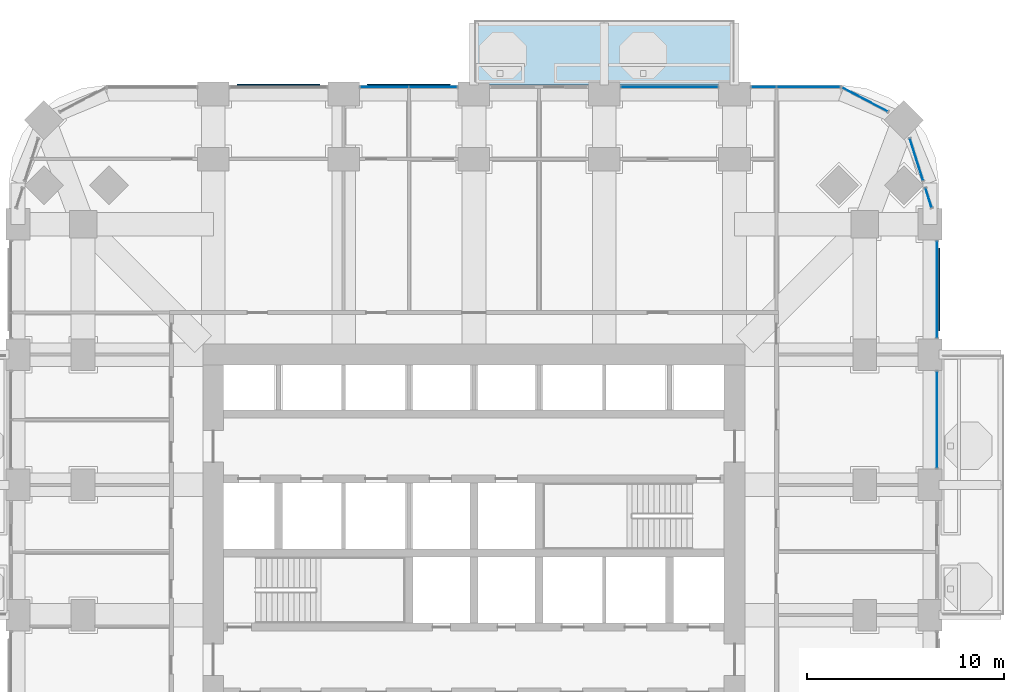
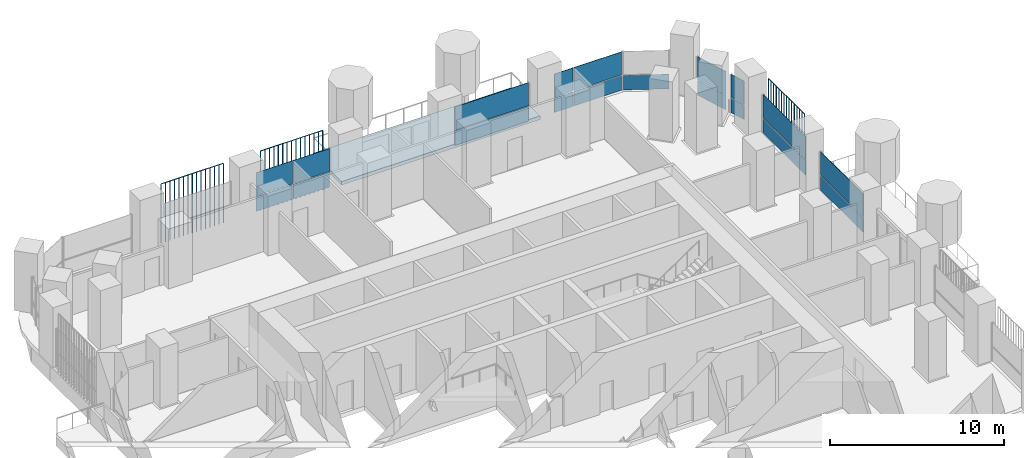
# One storey, part 12 of 21: 22 plates, 1 slab, 8 elements without a shape of their own.
"""IFC4 building model written with IfcOpenShell, lengths in metres."""

from ifc_helpers import new_model, si_unit, direction, frame, origin, origin_2d, place, context, subcontext, project, spatial, polyline, rectangle, outline, extrude, material, layer, layer_set, type_object, element, aggregate, save


model = new_model("IFC4")

# Units and contexts
model_context = context("Model", 3, precision=1e-05, world=origin(), true_north=direction((0.0, 1.0)))
body_context = subcontext(model_context, "Body", "Model", "MODEL_VIEW")
ifc_project = project(units=[si_unit("LENGTHUNIT", "METRE"), si_unit("AREAUNIT", "SQUARE_METRE"), si_unit("VOLUMEUNIT", "CUBIC_METRE"), si_unit("PLANEANGLEUNIT", "RADIAN"), si_unit("MASSUNIT", "GRAM", prefix="KILO")], contexts=[model_context])

# Site, building, storey
site_placement = place(None, origin())
site = spatial("IfcSite", under=ifc_project, at=site_placement, CompositionType="ELEMENT")
building_placement = place(site_placement, origin())
building = spatial("IfcBuilding", under=site, at=building_placement, Name="Cobogo Forest Laboratory Tower", CompositionType="ELEMENT")
storey_placement = place(building_placement, frame((0.0, 0.0, 86.39990234375)))
storey = spatial("IfcBuildingStorey", under=building, at=storey_placement, Name="L19", CompositionType="ELEMENT", Elevation=86.39990234375)

# Slab
ifc_material_1 = material(Name="Concrete HA-40 (C40/50)", Category="concrete")
ifc_layer_1 = layer(ifc_material_1, 0.25)
ifc_layer_set_1 = layer_set([ifc_layer_1], Name="Balcony slab 250")
slab_type = type_object("IfcSlabType", Name="Balcony slab 250", PredefinedType="FLOOR", material=ifc_layer_set_1)
slab_placement = place(storey_placement, frame((0.0, 0.0, -0.25)))
element("IfcSlab", 1, at=slab_placement, inside=storey, type_object=slab_type, Name="Balcony BAL-N1 L19", PredefinedType="FLOOR", context=body_context, shape_type="SweptSolid", body=[
    extrude(outline(polyline([(26.39990234375, 46.64990234375), (39.60009765625, 46.64990234375), (39.60009765625, 49.949951171875), (26.39990234375, 49.949951171875), (26.39990234375, 46.64990234375)])), origin(), (0.0, 0.0, 1.0), 0.25),
])

# Curtain wall, plates
ifc_material_2 = material(Name="Aluminium curtain wall", Category="aluminium")
curtain_wall_type = type_object("IfcCurtainWallType", Name="CW-1 unitised curtain wall, clear glazing, laboratory floors zones A and B", PredefinedType="USERDEFINED", material=ifc_material_2)
curtain_wall_1_placement = place(storey_placement, origin())
curtain_wall_1 = element("IfcCurtainWall", 2, at=curtain_wall_1_placement, inside=storey, type_object=curtain_wall_type, Name="Curtain wall 13 L19", ObjectType="UNITISED CURTAIN WALL", PredefinedType="USERDEFINED")
ifc_material_3 = material(Name="Clear insulated glass", Category="glass")
ifc_layer_2 = layer(ifc_material_3, 0.028076171875)
ifc_layer_set_2 = layer_set([ifc_layer_2], Name="GP-1 clear insulated glass unit 28")
plate_type_1 = type_object("IfcPlateType", Name="GP-1 clear insulated glass unit 28", PredefinedType="CURTAIN_PANEL", material=ifc_layer_set_2)
plate_1_placement = place(storey_placement, frame((49.85009765625, 29.699951171875, 0.0), z_axis=(0.0, 0.0, 1.0), x_axis=(0.0, 1.0, 0.0)))
plate_1 = element("IfcPlate", 3, at=plate_1_placement, type_object=plate_type_1, Name="CW-1 panel 1.1", PredefinedType="CURTAIN_PANEL", context=body_context, shape_type="SweptSolid", body=[
    extrude(rectangle(XDim=4.8798828125, YDim=0.028076171875, at=origin_2d()), origin(), (0.0, 0.0, 1.0), 1.02001953125),
])
plate_2_placement = place(storey_placement, frame((49.85009765625, 29.699951171875, 1.080078125), z_axis=(0.0, 0.0, 1.0), x_axis=(0.0, 1.0, 0.0)))
plate_2 = element("IfcPlate", 4, at=plate_2_placement, type_object=plate_type_1, Name="CW-1 panel 1.2", PredefinedType="CURTAIN_PANEL", context=body_context, shape_type="SweptSolid", body=[
    extrude(rectangle(XDim=4.8798828125, YDim=0.028076171875, at=origin_2d()), origin(), (0.0, 0.0, 1.0), 1.6201171875),
])
aggregate(curtain_wall_1, [plate_1, plate_2])

curtain_wall_2_placement = place(storey_placement, origin())
curtain_wall_2 = element("IfcCurtainWall", 5, at=curtain_wall_2_placement, inside=storey, type_object=curtain_wall_type, Name="Curtain wall 14 L19", ObjectType="UNITISED CURTAIN WALL", PredefinedType="USERDEFINED")
plate_3_placement = place(storey_placement, frame((49.85009765625, 36.300048828125, 0.0), z_axis=(0.0, 0.0, 1.0), x_axis=(0.0, 1.0, 0.0)))
plate_3 = element("IfcPlate", 6, at=plate_3_placement, type_object=plate_type_1, Name="CW-1 panel 1.1", PredefinedType="CURTAIN_PANEL", context=body_context, shape_type="SweptSolid", body=[
    extrude(rectangle(XDim=4.8798828125, YDim=0.028076171875, at=origin_2d()), origin(), (0.0, 0.0, 1.0), 1.02001953125),
])
plate_4_placement = place(storey_placement, frame((49.85009765625, 36.300048828125, 1.080078125), z_axis=(0.0, 0.0, 1.0), x_axis=(0.0, 1.0, 0.0)))
plate_4 = element("IfcPlate", 7, at=plate_4_placement, type_object=plate_type_1, Name="CW-1 panel 1.2", PredefinedType="CURTAIN_PANEL", context=body_context, shape_type="SweptSolid", body=[
    extrude(rectangle(XDim=4.8798828125, YDim=0.028076171875, at=origin_2d()), origin(), (0.0, 0.0, 1.0), 1.6201171875),
])
aggregate(curtain_wall_2, [plate_3, plate_4])

curtain_wall_3_placement = place(storey_placement, origin())
curtain_wall_3 = element("IfcCurtainWall", 8, at=curtain_wall_3_placement, inside=storey, type_object=curtain_wall_type, Name="Curtain wall 15 L19", ObjectType="UNITISED CURTAIN WALL", PredefinedType="USERDEFINED")
plate_5_placement = place(storey_placement, frame((49.426513671875, 40.94091796875, 0.0), z_axis=(0.0, 0.0, 1.0), x_axis=(-0.3011355018, 0.953581359694, 0.0)))
plate_5 = element("IfcPlate", 9, at=plate_5_placement, type_object=plate_type_1, Name="CW-1 panel 1.1", PredefinedType="CURTAIN_PANEL", context=body_context, shape_type="SweptSolid", body=[
    extrude(rectangle(XDim=1.0146484375, YDim=0.028076171875, at=origin_2d()), origin(), (0.0, 0.0, 1.0), 1.02001953125),
])
plate_6_placement = place(storey_placement, frame((49.426513671875, 40.94091796875, 1.080078125), z_axis=(0.0, 0.0, 1.0), x_axis=(-0.3011355018, 0.953581359694, 0.0)))
plate_6 = element("IfcPlate", 10, at=plate_6_placement, type_object=plate_type_1, Name="CW-1 panel 1.2", PredefinedType="CURTAIN_PANEL", context=body_context, shape_type="SweptSolid", body=[
    extrude(rectangle(XDim=1.0146484375, YDim=0.028076171875, at=origin_2d()), origin(), (0.0, 0.0, 1.0), 1.6201171875),
])
aggregate(curtain_wall_3, [plate_5, plate_6])

curtain_wall_4_placement = place(storey_placement, origin())
curtain_wall_4 = element("IfcCurtainWall", 11, at=curtain_wall_4_placement, inside=storey, type_object=curtain_wall_type, Name="Curtain wall 16 L19", ObjectType="UNITISED CURTAIN WALL", PredefinedType="USERDEFINED")
plate_7_placement = place(storey_placement, frame((48.8134765625, 42.882080078125, 0.0), z_axis=(0.0, 0.0, 1.0), x_axis=(-0.301135343623, 0.953581409645, 0.0)))
plate_7 = element("IfcPlate", 12, at=plate_7_placement, type_object=plate_type_1, Name="CW-1 panel 1.1", PredefinedType="CURTAIN_PANEL", context=body_context, shape_type="SweptSolid", body=[
    extrude(rectangle(XDim=2.203369140625, YDim=0.028076171875, at=origin_2d()), origin(), (0.0, 0.0, 1.0), 1.02001953125),
])
plate_8_placement = place(storey_placement, frame((48.8134765625, 42.882080078125, 1.080078125), z_axis=(0.0, 0.0, 1.0), x_axis=(-0.301135343623, 0.953581409645, 0.0)))
plate_8 = element("IfcPlate", 13, at=plate_8_placement, type_object=plate_type_1, Name="CW-1 panel 1.2", PredefinedType="CURTAIN_PANEL", context=body_context, shape_type="SweptSolid", body=[
    extrude(rectangle(XDim=2.203369140625, YDim=0.028076171875, at=origin_2d()), origin(), (0.0, 0.0, 1.0), 1.6201171875),
])
aggregate(curtain_wall_4, [plate_7, plate_8])

# Curtain wall, plate
curtain_wall_5_placement = place(storey_placement, origin())
curtain_wall_5 = element("IfcCurtainWall", 14, at=curtain_wall_5_placement, inside=storey, type_object=curtain_wall_type, Name="Curtain wall 17 L19", ObjectType="UNITISED CURTAIN WALL", PredefinedType="USERDEFINED")
plate_9_placement = place(storey_placement, frame((46.2060546875, 45.917724609375, 0.0), z_axis=(0.0, 0.0, 1.0), x_axis=(-0.885686540666, 0.464283697413, 0.0)))
plate_9 = element("IfcPlate", 15, at=plate_9_placement, type_object=plate_type_1, Name="CW-1 panel 1.1", PredefinedType="CURTAIN_PANEL", context=body_context, shape_type="SweptSolid", body=[
    extrude(rectangle(XDim=2.603271484375, YDim=0.028076171875, at=origin_2d()), origin(), (0.0, 0.0, 1.0), 1.02001953125),
])
aggregate(curtain_wall_5, [plate_9])

# Curtain wall, plates
curtain_wall_6_placement = place(storey_placement, origin())
curtain_wall_6 = element("IfcCurtainWall", 16, at=curtain_wall_6_placement, inside=storey, type_object=curtain_wall_type, Name="Curtain wall 18 L19", ObjectType="UNITISED CURTAIN WALL", PredefinedType="USERDEFINED")
plate_10_placement = place(storey_placement, frame((43.347412109375, 46.550048828125, 0.0), z_axis=(0.0, 0.0, 1.0), x_axis=(-1.0, 0.0, 0.0)))
plate_10 = element("IfcPlate", 17, at=plate_10_placement, type_object=plate_type_1, Name="CW-1 panel 1.1", PredefinedType="CURTAIN_PANEL", context=body_context, shape_type="SweptSolid", body=[
    extrude(rectangle(XDim=3.18505859375, YDim=0.028076171875, at=origin_2d()), origin(), (0.0, 0.0, 1.0), 1.02001953125),
])
plate_11_placement = place(storey_placement, frame((43.347412109375, 46.550048828125, 1.080078125), z_axis=(0.0, 0.0, 1.0), x_axis=(-1.0, 0.0, 0.0)))
plate_11 = element("IfcPlate", 18, at=plate_11_placement, type_object=plate_type_1, Name="CW-1 panel 1.2", PredefinedType="CURTAIN_PANEL", context=body_context, shape_type="SweptSolid", body=[
    extrude(rectangle(XDim=3.18505859375, YDim=0.028076171875, at=origin_2d()), origin(), (0.0, 0.0, 1.0), 1.6201171875),
])
plate_12_placement = place(storey_placement, frame((41.077392578125, 46.550048828125, 0.0), z_axis=(0.0, 0.0, 1.0), x_axis=(-1.0, 0.0, 0.0)))
plate_12 = element("IfcPlate", 19, at=plate_12_placement, type_object=plate_type_1, Name="CW-1 panel 2.1", PredefinedType="CURTAIN_PANEL", context=body_context, shape_type="SweptSolid", body=[
    extrude(rectangle(XDim=1.235107421875, YDim=0.028076171875, at=origin_2d()), origin(), (0.0, 0.0, 1.0), 1.02001953125),
])
plate_13_placement = place(storey_placement, frame((41.077392578125, 46.550048828125, 1.080078125), z_axis=(0.0, 0.0, 1.0), x_axis=(-1.0, 0.0, 0.0)))
plate_13 = element("IfcPlate", 20, at=plate_13_placement, type_object=plate_type_1, Name="CW-1 panel 2.2", PredefinedType="CURTAIN_PANEL", context=body_context, shape_type="SweptSolid", body=[
    extrude(rectangle(XDim=1.235107421875, YDim=0.028076171875, at=origin_2d()), origin(), (0.0, 0.0, 1.0), 1.6201171875),
])
aggregate(curtain_wall_6, [plate_10, plate_11, plate_12, plate_13])

curtain_wall_7_placement = place(storey_placement, origin())
curtain_wall_7 = element("IfcCurtainWall", 21, at=curtain_wall_7_placement, inside=storey, type_object=curtain_wall_type, Name="Curtain wall 19 L19", ObjectType="UNITISED CURTAIN WALL", PredefinedType="USERDEFINED")
plate_14_placement = place(storey_placement, frame((36.300048828125, 46.550048828125, 0.0), z_axis=(0.0, 0.0, 1.0), x_axis=(-1.0, 0.0, 0.0)))
plate_14 = element("IfcPlate", 22, at=plate_14_placement, type_object=plate_type_1, Name="CW-1 panel 1.1", PredefinedType="CURTAIN_PANEL", context=body_context, shape_type="SweptSolid", body=[
    extrude(rectangle(XDim=4.8798828125, YDim=0.028076171875, at=origin_2d()), origin(), (0.0, 0.0, 1.0), 1.02001953125),
])
plate_15_placement = place(storey_placement, frame((36.300048828125, 46.550048828125, 1.080078125), z_axis=(0.0, 0.0, 1.0), x_axis=(-1.0, 0.0, 0.0)))
plate_15 = element("IfcPlate", 23, at=plate_15_placement, type_object=plate_type_1, Name="CW-1 panel 1.2", PredefinedType="CURTAIN_PANEL", context=body_context, shape_type="SweptSolid", body=[
    extrude(rectangle(XDim=4.8798828125, YDim=0.028076171875, at=origin_2d()), origin(), (0.0, 0.0, 1.0), 1.6201171875),
])
aggregate(curtain_wall_7, [plate_14, plate_15])

curtain_wall_8_placement = place(storey_placement, origin())
curtain_wall_8 = element("IfcCurtainWall", 24, at=curtain_wall_8_placement, inside=storey, type_object=curtain_wall_type, Name="Curtain wall 21 L19", ObjectType="UNITISED CURTAIN WALL", PredefinedType="USERDEFINED")
plate_16_placement = place(storey_placement, frame((24.3349609375, 46.550048828125, 0.0), z_axis=(0.0, 0.0, 1.0), x_axis=(-1.0, 0.0, 0.0)))
plate_16 = element("IfcPlate", 25, at=plate_16_placement, type_object=plate_type_1, Name="CW-1 panel 1.1", PredefinedType="CURTAIN_PANEL", context=body_context, shape_type="SweptSolid", body=[
    extrude(rectangle(XDim=2.409912109375, YDim=0.028076171875, at=origin_2d()), origin(), (0.0, 0.0, 1.0), 1.02001953125),
])
plate_17_placement = place(storey_placement, frame((24.3349609375, 46.550048828125, 1.080078125), z_axis=(0.0, 0.0, 1.0), x_axis=(-1.0, 0.0, 0.0)))
plate_17 = element("IfcPlate", 26, at=plate_17_placement, type_object=plate_type_1, Name="CW-1 panel 1.2", PredefinedType="CURTAIN_PANEL", context=body_context, shape_type="SweptSolid", body=[
    extrude(rectangle(XDim=2.409912109375, YDim=0.028076171875, at=origin_2d()), origin(), (0.0, 0.0, 1.0), 1.6201171875),
])
plate_18_placement = place(storey_placement, frame((21.864990234375, 46.550048828125, 0.0), z_axis=(0.0, 0.0, 1.0), x_axis=(-1.0, 0.0, 0.0)))
plate_18 = element("IfcPlate", 27, at=plate_18_placement, type_object=plate_type_1, Name="CW-1 panel 2.1", PredefinedType="CURTAIN_PANEL", context=body_context, shape_type="SweptSolid", body=[
    extrude(rectangle(XDim=2.409912109375, YDim=0.028076171875, at=origin_2d()), origin(), (0.0, 0.0, 1.0), 1.02001953125),
])
plate_19_placement = place(storey_placement, frame((21.864990234375, 46.550048828125, 1.080078125), z_axis=(0.0, 0.0, 1.0), x_axis=(-1.0, 0.0, 0.0)))
plate_19 = element("IfcPlate", 28, at=plate_19_placement, type_object=plate_type_1, Name="CW-1 panel 2.2", PredefinedType="CURTAIN_PANEL", context=body_context, shape_type="SweptSolid", body=[
    extrude(rectangle(XDim=2.409912109375, YDim=0.028076171875, at=origin_2d()), origin(), (0.0, 0.0, 1.0), 1.6201171875),
])
aggregate(curtain_wall_8, [plate_16, plate_17, plate_18, plate_19])

# Plates
ifc_material_4 = material(Name="Terracotta", Category="masonry")
plate_type_2 = type_object("IfcPlateType", Name="TB1 terracotta baguette screen", PredefinedType="USERDEFINED", material=ifc_material_4)
plate_20_placement = place(storey_placement, frame((49.977783203125, 34.231201171875, -0.14990234375)))
element("IfcPlate", 29, at=plate_20_placement, inside=storey, type_object=plate_type_2, Name="Baguette screen E5 L19", ObjectType="BAGUETTE SCREEN", PredefinedType="USERDEFINED", context=body_context, shape_type="SweptSolid", body=[
    extrude(outline(polyline([(0.02880859375, 0.011962890625), (0.011962890625, 0.02880859375), (-0.011962890625, 0.02880859375), (-0.02880859375, 0.011962890625), (-0.02880859375, -0.011962890625), (-0.011962890625, -0.02880859375), (0.011962890625, -0.02880859375), (0.02880859375, -0.011962890625), (0.02880859375, 0.011962890625)])), frame((0.0, 0.0, 4.168701171875), z_axis=(0.0, 1.0, 0.0), x_axis=(-1.0, 0.0, 0.0)), (0.0, 0.0, 1.0), 4.137451171875),
    extrude(outline(polyline([(0.02880859375, 0.011962890625), (0.011962890625, 0.02880859375), (-0.011962890625, 0.02880859375), (-0.02880859375, 0.011962890625), (-0.02880859375, -0.011962890625), (-0.011962890625, -0.02880859375), (0.011962890625, -0.02880859375), (0.02880859375, -0.011962890625), (0.02880859375, 0.011962890625)])), origin(), (0.0, 0.0, 1.0), 4.137451171875),
    extrude(outline(polyline([(0.02880859375, 0.011962890625), (0.011962890625, 0.02880859375), (-0.011962890625, 0.02880859375), (-0.02880859375, 0.011962890625), (-0.02880859375, -0.011962890625), (-0.011962890625, -0.02880859375), (0.011962890625, -0.02880859375), (0.02880859375, -0.011962890625), (0.02880859375, 0.011962890625)])), frame((0.0, 0.29541015625, 0.0)), (0.0, 0.0, 1.0), 4.137451171875),
    extrude(outline(polyline([(0.02880859375, 0.011962890625), (0.011962890625, 0.02880859375), (-0.011962890625, 0.02880859375), (-0.02880859375, 0.011962890625), (-0.02880859375, -0.011962890625), (-0.011962890625, -0.02880859375), (0.011962890625, -0.02880859375), (0.02880859375, -0.011962890625), (0.02880859375, 0.011962890625)])), frame((0.0, 0.591064453125, 0.0)), (0.0, 0.0, 1.0), 4.137451171875),
    extrude(outline(polyline([(0.02880859375, 0.011962890625), (0.011962890625, 0.02880859375), (-0.011962890625, 0.02880859375), (-0.02880859375, 0.011962890625), (-0.02880859375, -0.011962890625), (-0.011962890625, -0.02880859375), (0.011962890625, -0.02880859375), (0.02880859375, -0.011962890625), (0.02880859375, 0.011962890625)])), frame((0.0, 0.88671875, 0.0)), (0.0, 0.0, 1.0), 4.137451171875),
    extrude(outline(polyline([(0.02880859375, 0.011962890625), (0.011962890625, 0.02880859375), (-0.011962890625, 0.02880859375), (-0.02880859375, 0.011962890625), (-0.02880859375, -0.011962890625), (-0.011962890625, -0.02880859375), (0.011962890625, -0.02880859375), (0.02880859375, -0.011962890625), (0.02880859375, 0.011962890625)])), frame((0.0, 1.18212890625, 0.0)), (0.0, 0.0, 1.0), 4.137451171875),
    extrude(outline(polyline([(0.02880859375, 0.011962890625), (0.011962890625, 0.02880859375), (-0.011962890625, 0.02880859375), (-0.02880859375, 0.011962890625), (-0.02880859375, -0.011962890625), (-0.011962890625, -0.02880859375), (0.011962890625, -0.02880859375), (0.02880859375, -0.011962890625), (0.02880859375, 0.011962890625)])), frame((0.0, 1.4775390625, 0.0)), (0.0, 0.0, 1.0), 4.137451171875),
    extrude(outline(polyline([(0.02880859375, 0.011962890625), (0.011962890625, 0.02880859375), (-0.011962890625, 0.02880859375), (-0.02880859375, 0.011962890625), (-0.02880859375, -0.011962890625), (-0.011962890625, -0.02880859375), (0.011962890625, -0.02880859375), (0.02880859375, -0.011962890625), (0.02880859375, 0.011962890625)])), frame((0.0, 1.773193359375, 0.0)), (0.0, 0.0, 1.0), 4.137451171875),
    extrude(outline(polyline([(0.02880859375, 0.011962890625), (0.011962890625, 0.02880859375), (-0.011962890625, 0.02880859375), (-0.02880859375, 0.011962890625), (-0.02880859375, -0.011962890625), (-0.011962890625, -0.02880859375), (0.011962890625, -0.02880859375), (0.02880859375, -0.011962890625), (0.02880859375, 0.011962890625)])), frame((0.0, 2.06884765625, 0.0)), (0.0, 0.0, 1.0), 4.137451171875),
    extrude(outline(polyline([(0.02880859375, 0.011962890625), (0.011962890625, 0.02880859375), (-0.011962890625, 0.02880859375), (-0.02880859375, 0.011962890625), (-0.02880859375, -0.011962890625), (-0.011962890625, -0.02880859375), (0.011962890625, -0.02880859375), (0.02880859375, -0.011962890625), (0.02880859375, 0.011962890625)])), frame((0.0, 2.3642578125, 0.0)), (0.0, 0.0, 1.0), 4.137451171875),
    extrude(outline(polyline([(0.02880859375, 0.011962890625), (0.011962890625, 0.02880859375), (-0.011962890625, 0.02880859375), (-0.02880859375, 0.011962890625), (-0.02880859375, -0.011962890625), (-0.011962890625, -0.02880859375), (0.011962890625, -0.02880859375), (0.02880859375, -0.011962890625), (0.02880859375, 0.011962890625)])), frame((0.0, 2.65966796875, 0.0)), (0.0, 0.0, 1.0), 4.137451171875),
    extrude(outline(polyline([(0.02880859375, 0.011962890625), (0.011962890625, 0.02880859375), (-0.011962890625, 0.02880859375), (-0.02880859375, 0.011962890625), (-0.02880859375, -0.011962890625), (-0.011962890625, -0.02880859375), (0.011962890625, -0.02880859375), (0.02880859375, -0.011962890625), (0.02880859375, 0.011962890625)])), frame((0.0, 2.955322265625, 0.0)), (0.0, 0.0, 1.0), 4.137451171875),
    extrude(outline(polyline([(0.02880859375, 0.011962890625), (0.011962890625, 0.02880859375), (-0.011962890625, 0.02880859375), (-0.02880859375, 0.011962890625), (-0.02880859375, -0.011962890625), (-0.011962890625, -0.02880859375), (0.011962890625, -0.02880859375), (0.02880859375, -0.011962890625), (0.02880859375, 0.011962890625)])), frame((0.0, 3.2509765625, 0.0)), (0.0, 0.0, 1.0), 4.137451171875),
    extrude(outline(polyline([(0.02880859375, 0.011962890625), (0.011962890625, 0.02880859375), (-0.011962890625, 0.02880859375), (-0.02880859375, 0.011962890625), (-0.02880859375, -0.011962890625), (-0.011962890625, -0.02880859375), (0.011962890625, -0.02880859375), (0.02880859375, -0.011962890625), (0.02880859375, 0.011962890625)])), frame((0.0, 3.54638671875, 0.0)), (0.0, 0.0, 1.0), 4.137451171875),
    extrude(outline(polyline([(0.02880859375, 0.011962890625), (0.011962890625, 0.02880859375), (-0.011962890625, 0.02880859375), (-0.02880859375, 0.011962890625), (-0.02880859375, -0.011962890625), (-0.011962890625, -0.02880859375), (0.011962890625, -0.02880859375), (0.02880859375, -0.011962890625), (0.02880859375, 0.011962890625)])), frame((0.0, 3.841796875, 0.0)), (0.0, 0.0, 1.0), 4.137451171875),
    extrude(outline(polyline([(0.02880859375, 0.011962890625), (0.011962890625, 0.02880859375), (-0.011962890625, 0.02880859375), (-0.02880859375, 0.011962890625), (-0.02880859375, -0.011962890625), (-0.011962890625, -0.02880859375), (0.011962890625, -0.02880859375), (0.02880859375, -0.011962890625), (0.02880859375, 0.011962890625)])), frame((0.0, 4.137451171875, 0.0)), (0.0, 0.0, 1.0), 4.137451171875),
])
plate_21_placement = place(storey_placement, frame((14.43115234375, 46.677978515625, -0.14990234375)))
element("IfcPlate", 30, at=plate_21_placement, inside=storey, type_object=plate_type_2, Name="Baguette screen N1 L19", ObjectType="BAGUETTE SCREEN", PredefinedType="USERDEFINED", context=body_context, shape_type="SweptSolid", body=[
    extrude(outline(polyline([(0.02880859375, 0.011962890625), (0.011962890625, 0.02880859375), (-0.011962890625, 0.02880859375), (-0.02880859375, 0.011962890625), (-0.02880859375, -0.011962890625), (-0.011962890625, -0.02880859375), (0.011962890625, -0.02880859375), (0.02880859375, -0.011962890625), (0.02880859375, 0.011962890625)])), frame((0.0, 0.0, 4.168701171875), z_axis=(1.0, 0.0, 0.0), x_axis=(0.0, 1.0, 0.0)), (0.0, 0.0, 1.0), 4.1376953125),
    extrude(outline(polyline([(0.02880859375, 0.011962890625), (0.011962890625, 0.02880859375), (-0.011962890625, 0.02880859375), (-0.02880859375, 0.011962890625), (-0.02880859375, -0.011962890625), (-0.011962890625, -0.02880859375), (0.011962890625, -0.02880859375), (0.02880859375, -0.011962890625), (0.02880859375, 0.011962890625)])), origin(), (0.0, 0.0, 1.0), 4.137451171875),
    extrude(outline(polyline([(0.02880859375, 0.011962890625), (0.011962890625, 0.02880859375), (-0.011962890625, 0.02880859375), (-0.02880859375, 0.011962890625), (-0.02880859375, -0.011962890625), (-0.011962890625, -0.02880859375), (0.011962890625, -0.02880859375), (0.02880859375, -0.011962890625), (0.02880859375, 0.011962890625)])), frame((0.295654296875, 0.0, 0.0)), (0.0, 0.0, 1.0), 4.137451171875),
    extrude(outline(polyline([(0.02880859375, 0.011962890625), (0.011962890625, 0.02880859375), (-0.011962890625, 0.02880859375), (-0.02880859375, 0.011962890625), (-0.02880859375, -0.011962890625), (-0.011962890625, -0.02880859375), (0.011962890625, -0.02880859375), (0.02880859375, -0.011962890625), (0.02880859375, 0.011962890625)])), frame((0.591064453125, 0.0, 0.0)), (0.0, 0.0, 1.0), 4.137451171875),
    extrude(outline(polyline([(0.02880859375, 0.011962890625), (0.011962890625, 0.02880859375), (-0.011962890625, 0.02880859375), (-0.02880859375, 0.011962890625), (-0.02880859375, -0.011962890625), (-0.011962890625, -0.02880859375), (0.011962890625, -0.02880859375), (0.02880859375, -0.011962890625), (0.02880859375, 0.011962890625)])), frame((0.88671875, 0.0, 0.0)), (0.0, 0.0, 1.0), 4.137451171875),
    extrude(outline(polyline([(0.02880859375, 0.011962890625), (0.011962890625, 0.02880859375), (-0.011962890625, 0.02880859375), (-0.02880859375, 0.011962890625), (-0.02880859375, -0.011962890625), (-0.011962890625, -0.02880859375), (0.011962890625, -0.02880859375), (0.02880859375, -0.011962890625), (0.02880859375, 0.011962890625)])), frame((1.18212890625, 0.0, 0.0)), (0.0, 0.0, 1.0), 4.137451171875),
    extrude(outline(polyline([(0.02880859375, 0.011962890625), (0.011962890625, 0.02880859375), (-0.011962890625, 0.02880859375), (-0.02880859375, 0.011962890625), (-0.02880859375, -0.011962890625), (-0.011962890625, -0.02880859375), (0.011962890625, -0.02880859375), (0.02880859375, -0.011962890625), (0.02880859375, 0.011962890625)])), frame((1.477783203125, 0.0, 0.0)), (0.0, 0.0, 1.0), 4.137451171875),
    extrude(outline(polyline([(0.02880859375, 0.011962890625), (0.011962890625, 0.02880859375), (-0.011962890625, 0.02880859375), (-0.02880859375, 0.011962890625), (-0.02880859375, -0.011962890625), (-0.011962890625, -0.02880859375), (0.011962890625, -0.02880859375), (0.02880859375, -0.011962890625), (0.02880859375, 0.011962890625)])), frame((1.773193359375, 0.0, 0.0)), (0.0, 0.0, 1.0), 4.137451171875),
    extrude(outline(polyline([(0.02880859375, 0.011962890625), (0.011962890625, 0.02880859375), (-0.011962890625, 0.02880859375), (-0.02880859375, 0.011962890625), (-0.02880859375, -0.011962890625), (-0.011962890625, -0.02880859375), (0.011962890625, -0.02880859375), (0.02880859375, -0.011962890625), (0.02880859375, 0.011962890625)])), frame((2.06884765625, 0.0, 0.0)), (0.0, 0.0, 1.0), 4.137451171875),
    extrude(outline(polyline([(0.02880859375, 0.011962890625), (0.011962890625, 0.02880859375), (-0.011962890625, 0.02880859375), (-0.02880859375, 0.011962890625), (-0.02880859375, -0.011962890625), (-0.011962890625, -0.02880859375), (0.011962890625, -0.02880859375), (0.02880859375, -0.011962890625), (0.02880859375, 0.011962890625)])), frame((2.364501953125, 0.0, 0.0)), (0.0, 0.0, 1.0), 4.137451171875),
    extrude(outline(polyline([(0.02880859375, 0.011962890625), (0.011962890625, 0.02880859375), (-0.011962890625, 0.02880859375), (-0.02880859375, 0.011962890625), (-0.02880859375, -0.011962890625), (-0.011962890625, -0.02880859375), (0.011962890625, -0.02880859375), (0.02880859375, -0.011962890625), (0.02880859375, 0.011962890625)])), frame((2.659912109375, 0.0, 0.0)), (0.0, 0.0, 1.0), 4.137451171875),
    extrude(outline(polyline([(0.02880859375, 0.011962890625), (0.011962890625, 0.02880859375), (-0.011962890625, 0.02880859375), (-0.02880859375, 0.011962890625), (-0.02880859375, -0.011962890625), (-0.011962890625, -0.02880859375), (0.011962890625, -0.02880859375), (0.02880859375, -0.011962890625), (0.02880859375, 0.011962890625)])), frame((2.95556640625, 0.0, 0.0)), (0.0, 0.0, 1.0), 4.137451171875),
    extrude(outline(polyline([(0.02880859375, 0.011962890625), (0.011962890625, 0.02880859375), (-0.011962890625, 0.02880859375), (-0.02880859375, 0.011962890625), (-0.02880859375, -0.011962890625), (-0.011962890625, -0.02880859375), (0.011962890625, -0.02880859375), (0.02880859375, -0.011962890625), (0.02880859375, 0.011962890625)])), frame((3.2509765625, 0.0, 0.0)), (0.0, 0.0, 1.0), 4.137451171875),
    extrude(outline(polyline([(0.02880859375, 0.011962890625), (0.011962890625, 0.02880859375), (-0.011962890625, 0.02880859375), (-0.02880859375, 0.011962890625), (-0.02880859375, -0.011962890625), (-0.011962890625, -0.02880859375), (0.011962890625, -0.02880859375), (0.02880859375, -0.011962890625), (0.02880859375, 0.011962890625)])), frame((3.546630859375, 0.0, 0.0)), (0.0, 0.0, 1.0), 4.137451171875),
    extrude(outline(polyline([(0.02880859375, 0.011962890625), (0.011962890625, 0.02880859375), (-0.011962890625, 0.02880859375), (-0.02880859375, 0.011962890625), (-0.02880859375, -0.011962890625), (-0.011962890625, -0.02880859375), (0.011962890625, -0.02880859375), (0.02880859375, -0.011962890625), (0.02880859375, 0.011962890625)])), frame((3.842041015625, 0.0, 0.0)), (0.0, 0.0, 1.0), 4.137451171875),
    extrude(outline(polyline([(0.02880859375, 0.011962890625), (0.011962890625, 0.02880859375), (-0.011962890625, 0.02880859375), (-0.02880859375, 0.011962890625), (-0.02880859375, -0.011962890625), (-0.011962890625, -0.02880859375), (0.011962890625, -0.02880859375), (0.02880859375, -0.011962890625), (0.02880859375, 0.011962890625)])), frame((4.1376953125, 0.0, 0.0)), (0.0, 0.0, 1.0), 4.137451171875),
])
plate_22_placement = place(storey_placement, frame((21.03125, 46.677978515625, -0.14990234375)))
element("IfcPlate", 31, at=plate_22_placement, inside=storey, type_object=plate_type_2, Name="Baguette screen N2 L19", ObjectType="BAGUETTE SCREEN", PredefinedType="USERDEFINED", context=body_context, shape_type="SweptSolid", body=[
    extrude(outline(polyline([(0.02880859375, 0.011962890625), (0.011962890625, 0.02880859375), (-0.011962890625, 0.02880859375), (-0.02880859375, 0.011962890625), (-0.02880859375, -0.011962890625), (-0.011962890625, -0.02880859375), (0.011962890625, -0.02880859375), (0.02880859375, -0.011962890625), (0.02880859375, 0.011962890625)])), frame((0.0, 0.0, 4.168701171875), z_axis=(1.0, 0.0, 0.0), x_axis=(0.0, 1.0, 0.0)), (0.0, 0.0, 1.0), 4.137451171875),
    extrude(outline(polyline([(0.02880859375, 0.011962890625), (0.011962890625, 0.02880859375), (-0.011962890625, 0.02880859375), (-0.02880859375, 0.011962890625), (-0.02880859375, -0.011962890625), (-0.011962890625, -0.02880859375), (0.011962890625, -0.02880859375), (0.02880859375, -0.011962890625), (0.02880859375, 0.011962890625)])), origin(), (0.0, 0.0, 1.0), 4.137451171875),
    extrude(outline(polyline([(0.02880859375, 0.011962890625), (0.011962890625, 0.02880859375), (-0.011962890625, 0.02880859375), (-0.02880859375, 0.011962890625), (-0.02880859375, -0.011962890625), (-0.011962890625, -0.02880859375), (0.011962890625, -0.02880859375), (0.02880859375, -0.011962890625), (0.02880859375, 0.011962890625)])), frame((0.29541015625, 0.0, 0.0)), (0.0, 0.0, 1.0), 4.137451171875),
    extrude(outline(polyline([(0.02880859375, 0.011962890625), (0.011962890625, 0.02880859375), (-0.011962890625, 0.02880859375), (-0.02880859375, 0.011962890625), (-0.02880859375, -0.011962890625), (-0.011962890625, -0.02880859375), (0.011962890625, -0.02880859375), (0.02880859375, -0.011962890625), (0.02880859375, 0.011962890625)])), frame((0.591064453125, 0.0, 0.0)), (0.0, 0.0, 1.0), 4.137451171875),
    extrude(outline(polyline([(0.02880859375, 0.011962890625), (0.011962890625, 0.02880859375), (-0.011962890625, 0.02880859375), (-0.02880859375, 0.011962890625), (-0.02880859375, -0.011962890625), (-0.011962890625, -0.02880859375), (0.011962890625, -0.02880859375), (0.02880859375, -0.011962890625), (0.02880859375, 0.011962890625)])), frame((0.88671875, 0.0, 0.0)), (0.0, 0.0, 1.0), 4.137451171875),
    extrude(outline(polyline([(0.02880859375, 0.011962890625), (0.011962890625, 0.02880859375), (-0.011962890625, 0.02880859375), (-0.02880859375, 0.011962890625), (-0.02880859375, -0.011962890625), (-0.011962890625, -0.02880859375), (0.011962890625, -0.02880859375), (0.02880859375, -0.011962890625), (0.02880859375, 0.011962890625)])), frame((1.18212890625, 0.0, 0.0)), (0.0, 0.0, 1.0), 4.137451171875),
    extrude(outline(polyline([(0.02880859375, 0.011962890625), (0.011962890625, 0.02880859375), (-0.011962890625, 0.02880859375), (-0.02880859375, 0.011962890625), (-0.02880859375, -0.011962890625), (-0.011962890625, -0.02880859375), (0.011962890625, -0.02880859375), (0.02880859375, -0.011962890625), (0.02880859375, 0.011962890625)])), frame((1.4775390625, 0.0, 0.0)), (0.0, 0.0, 1.0), 4.137451171875),
    extrude(outline(polyline([(0.02880859375, 0.011962890625), (0.011962890625, 0.02880859375), (-0.011962890625, 0.02880859375), (-0.02880859375, 0.011962890625), (-0.02880859375, -0.011962890625), (-0.011962890625, -0.02880859375), (0.011962890625, -0.02880859375), (0.02880859375, -0.011962890625), (0.02880859375, 0.011962890625)])), frame((1.773193359375, 0.0, 0.0)), (0.0, 0.0, 1.0), 4.137451171875),
    extrude(outline(polyline([(0.02880859375, 0.011962890625), (0.011962890625, 0.02880859375), (-0.011962890625, 0.02880859375), (-0.02880859375, 0.011962890625), (-0.02880859375, -0.011962890625), (-0.011962890625, -0.02880859375), (0.011962890625, -0.02880859375), (0.02880859375, -0.011962890625), (0.02880859375, 0.011962890625)])), frame((2.06884765625, 0.0, 0.0)), (0.0, 0.0, 1.0), 4.137451171875),
    extrude(outline(polyline([(0.02880859375, 0.011962890625), (0.011962890625, 0.02880859375), (-0.011962890625, 0.02880859375), (-0.02880859375, 0.011962890625), (-0.02880859375, -0.011962890625), (-0.011962890625, -0.02880859375), (0.011962890625, -0.02880859375), (0.02880859375, -0.011962890625), (0.02880859375, 0.011962890625)])), frame((2.3642578125, 0.0, 0.0)), (0.0, 0.0, 1.0), 4.137451171875),
    extrude(outline(polyline([(0.02880859375, 0.011962890625), (0.011962890625, 0.02880859375), (-0.011962890625, 0.02880859375), (-0.02880859375, 0.011962890625), (-0.02880859375, -0.011962890625), (-0.011962890625, -0.02880859375), (0.011962890625, -0.02880859375), (0.02880859375, -0.011962890625), (0.02880859375, 0.011962890625)])), frame((2.65966796875, 0.0, 0.0)), (0.0, 0.0, 1.0), 4.137451171875),
    extrude(outline(polyline([(0.02880859375, 0.011962890625), (0.011962890625, 0.02880859375), (-0.011962890625, 0.02880859375), (-0.02880859375, 0.011962890625), (-0.02880859375, -0.011962890625), (-0.011962890625, -0.02880859375), (0.011962890625, -0.02880859375), (0.02880859375, -0.011962890625), (0.02880859375, 0.011962890625)])), frame((2.955322265625, 0.0, 0.0)), (0.0, 0.0, 1.0), 4.137451171875),
    extrude(outline(polyline([(0.02880859375, 0.011962890625), (0.011962890625, 0.02880859375), (-0.011962890625, 0.02880859375), (-0.02880859375, 0.011962890625), (-0.02880859375, -0.011962890625), (-0.011962890625, -0.02880859375), (0.011962890625, -0.02880859375), (0.02880859375, -0.011962890625), (0.02880859375, 0.011962890625)])), frame((3.2509765625, 0.0, 0.0)), (0.0, 0.0, 1.0), 4.137451171875),
    extrude(outline(polyline([(0.02880859375, 0.011962890625), (0.011962890625, 0.02880859375), (-0.011962890625, 0.02880859375), (-0.02880859375, 0.011962890625), (-0.02880859375, -0.011962890625), (-0.011962890625, -0.02880859375), (0.011962890625, -0.02880859375), (0.02880859375, -0.011962890625), (0.02880859375, 0.011962890625)])), frame((3.54638671875, 0.0, 0.0)), (0.0, 0.0, 1.0), 4.137451171875),
    extrude(outline(polyline([(0.02880859375, 0.011962890625), (0.011962890625, 0.02880859375), (-0.011962890625, 0.02880859375), (-0.02880859375, 0.011962890625), (-0.02880859375, -0.011962890625), (-0.011962890625, -0.02880859375), (0.011962890625, -0.02880859375), (0.02880859375, -0.011962890625), (0.02880859375, 0.011962890625)])), frame((3.841796875, 0.0, 0.0)), (0.0, 0.0, 1.0), 4.137451171875),
    extrude(outline(polyline([(0.02880859375, 0.011962890625), (0.011962890625, 0.02880859375), (-0.011962890625, 0.02880859375), (-0.02880859375, 0.011962890625), (-0.02880859375, -0.011962890625), (-0.011962890625, -0.02880859375), (0.011962890625, -0.02880859375), (0.02880859375, -0.011962890625), (0.02880859375, 0.011962890625)])), frame((4.137451171875, 0.0, 0.0)), (0.0, 0.0, 1.0), 4.137451171875),
])

save(model, "model.ifc")
